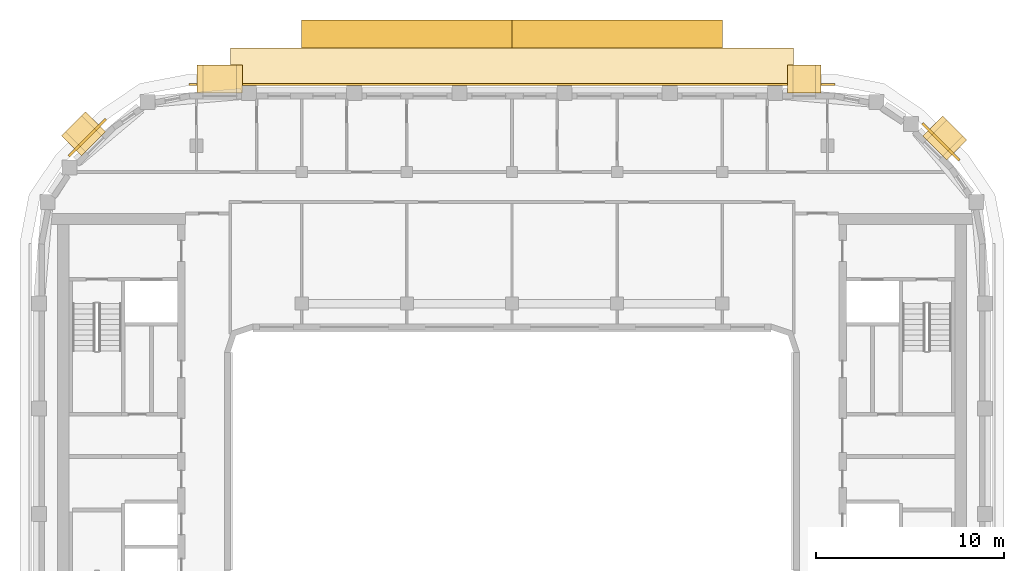
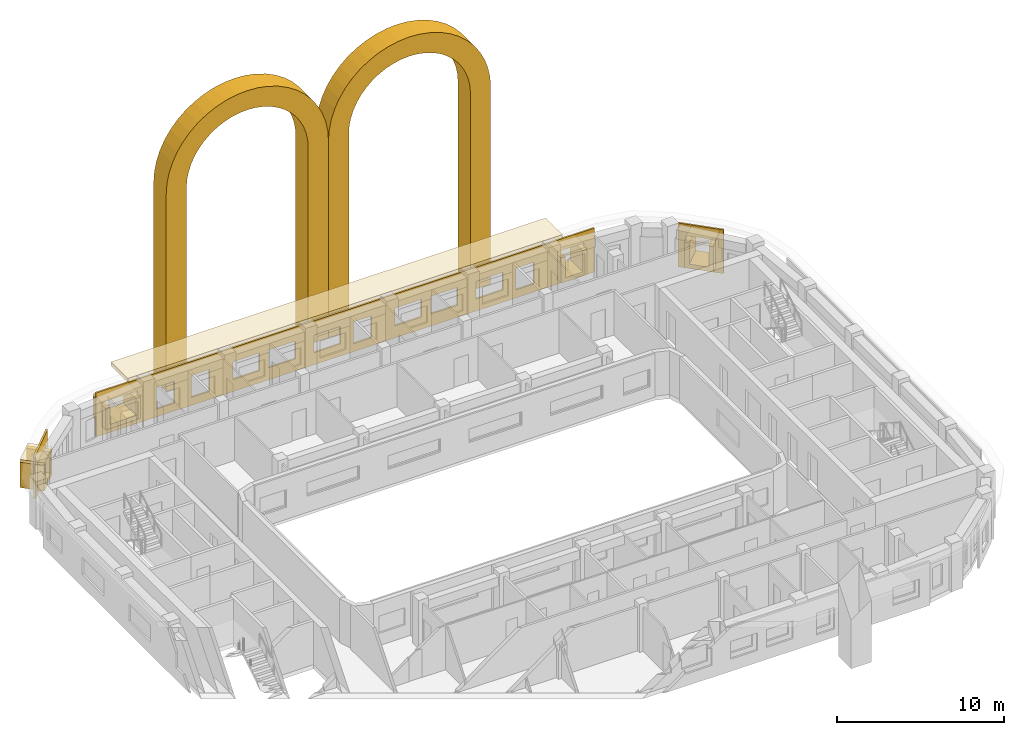
# One storey, part 18 of 18: 14 coverings.
"""IFC4 building model written with IfcOpenShell, lengths in metres."""

from ifc_helpers import new_model, si_unit, direction, frame, origin, origin_2d, place, context, subcontext, project, spatial, polyline, rectangle, outline, extrude, material, layer, layer_set, type_object, element, save


model = new_model("IFC4")

# Units and contexts
model_context = context("Model", 3, precision=1e-05, world=origin(), true_north=direction((0.0, 1.0)))
body_context = subcontext(model_context, "Body", "Model", "MODEL_VIEW")
ifc_project = project(units=[si_unit("LENGTHUNIT", "METRE"), si_unit("AREAUNIT", "SQUARE_METRE"), si_unit("VOLUMEUNIT", "CUBIC_METRE"), si_unit("PLANEANGLEUNIT", "RADIAN"), si_unit("MASSUNIT", "GRAM", prefix="KILO")], contexts=[model_context])

# Site, building, storey
site_placement = place(None, origin())
site = spatial("IfcSite", under=ifc_project, at=site_placement, CompositionType="ELEMENT")
building_placement = place(site_placement, origin())
building = spatial("IfcBuilding", under=site, at=building_placement, Name="Kiln Ring Residences", CompositionType="ELEMENT")
storey_placement = place(building_placement, frame((0.0, 0.0, 262.699951171875)))
storey = spatial("IfcBuildingStorey", under=building, at=storey_placement, Name="L68", CompositionType="ELEMENT", Elevation=262.699951171875)

# Coverings
ifc_material_1 = material(Name="Brick masonry, dark clay brick", Category="masonry")
ifc_layer_1 = layer(ifc_material_1, 1.39990234375)
ifc_layer_set_1 = layer_set([ifc_layer_1], Name="ARCH SURROUND 1500")
covering_type_1 = type_object("IfcCoveringType", Name="ARCH SURROUND 1500", PredefinedType="CLADDING", material=ifc_layer_set_1)
covering_1_placement = place(storey_placement, frame((-11.199951171875, 22.75, 0.0), z_axis=(0.0, 0.0, 1.0), x_axis=(1.0, 0.0, 0.0)))
element("IfcCovering", 1, at=covering_1_placement, inside=storey, type_object=covering_type_1, Name="ARCH SURROUND Z5 N2.1", PredefinedType="CLADDING", context=body_context, shape_type="SweptSolid", body=[
    extrude(outline(polyline([(0.0, 0.0), (0.0, 14.400146484375), (0.0478515625, 15.130859375), (0.19091796875, 15.849365234375), (0.42626953125, 16.54296875), (0.750244140625, 17.199951171875), (1.1572265625, 17.80908203125), (1.64013671875, 18.35986328125), (2.19091796875, 18.8427734375), (2.800048828125, 19.249755859375), (3.45703125, 19.57373046875), (4.150634765625, 19.809326171875), (4.869140625, 19.9521484375), (5.60009765625, 20.0), (6.330810546875, 19.9521484375), (7.04931640625, 19.809326171875), (7.742919921875, 19.57373046875), (8.39990234375, 19.249755859375), (9.009033203125, 18.8427734375), (9.559814453125, 18.35986328125), (10.042724609375, 17.80908203125), (10.44970703125, 17.199951171875), (10.773681640625, 16.54296875), (11.00927734375, 15.849365234375), (11.152099609375, 15.130859375), (11.199951171875, 14.400146484375), (11.199951171875, 0.0), (9.800048828125, 0.0), (9.800048828125, 14.400146484375), (9.76416015625, 14.9482421875), (9.656982421875, 15.487060546875), (9.480224609375, 16.00732421875), (9.2373046875, 16.5), (8.93212890625, 16.956787109375), (8.56982421875, 17.369873046875), (8.15673828125, 17.732177734375), (7.699951171875, 18.037353515625), (7.207275390625, 18.2802734375), (6.68701171875, 18.45703125), (6.148193359375, 18.564208984375), (5.60009765625, 18.60009765625), (5.0517578125, 18.564208984375), (4.512939453125, 18.45703125), (3.99267578125, 18.2802734375), (3.5, 18.037353515625), (3.043212890625, 17.732177734375), (2.630126953125, 17.369873046875), (2.267822265625, 16.956787109375), (1.962646484375, 16.5), (1.7197265625, 16.00732421875), (1.543212890625, 15.487060546875), (1.435791015625, 14.9482421875), (1.39990234375, 14.400146484375), (1.39990234375, 0.0), (0.0, 0.0)])), frame((0.0, 0.75, 0.0), z_axis=(0.0, -1.0, 0.0), x_axis=(1.0, 0.0, 0.0)), (0.0, 0.0, 1.0), 1.5),
])
covering_2_placement = place(storey_placement, frame((0.0, 22.75, 0.0), z_axis=(0.0, 0.0, 1.0), x_axis=(1.0, 0.0, 0.0)))
element("IfcCovering", 2, at=covering_2_placement, inside=storey, type_object=covering_type_1, Name="ARCH SURROUND Z5 N2.2", PredefinedType="CLADDING", context=body_context, shape_type="SweptSolid", body=[
    extrude(outline(polyline([(0.0, 0.0), (0.0, 14.400146484375), (0.0478515625, 15.130859375), (0.19091796875, 15.849365234375), (0.42626953125, 16.54296875), (0.750244140625, 17.199951171875), (1.1572265625, 17.80908203125), (1.64013671875, 18.35986328125), (2.19091796875, 18.8427734375), (2.800048828125, 19.249755859375), (3.45703125, 19.57373046875), (4.150634765625, 19.809326171875), (4.869140625, 19.9521484375), (5.60009765625, 20.0), (6.330810546875, 19.9521484375), (7.04931640625, 19.809326171875), (7.742919921875, 19.57373046875), (8.39990234375, 19.249755859375), (9.009033203125, 18.8427734375), (9.559814453125, 18.35986328125), (10.042724609375, 17.80908203125), (10.44970703125, 17.199951171875), (10.773681640625, 16.54296875), (11.00927734375, 15.849365234375), (11.152099609375, 15.130859375), (11.199951171875, 14.400146484375), (11.199951171875, 0.0), (9.800048828125, 0.0), (9.800048828125, 14.400146484375), (9.76416015625, 14.9482421875), (9.656982421875, 15.487060546875), (9.480224609375, 16.00732421875), (9.2373046875, 16.5), (8.93212890625, 16.956787109375), (8.56982421875, 17.369873046875), (8.15673828125, 17.732177734375), (7.699951171875, 18.037353515625), (7.207275390625, 18.2802734375), (6.68701171875, 18.45703125), (6.148193359375, 18.564208984375), (5.60009765625, 18.60009765625), (5.0517578125, 18.564208984375), (4.512939453125, 18.45703125), (3.99267578125, 18.2802734375), (3.5, 18.037353515625), (3.043212890625, 17.732177734375), (2.630126953125, 17.369873046875), (2.267822265625, 16.956787109375), (1.962646484375, 16.5), (1.7197265625, 16.00732421875), (1.543212890625, 15.487060546875), (1.435791015625, 14.9482421875), (1.39990234375, 14.400146484375), (1.39990234375, 0.0), (0.0, 0.0)])), frame((0.0, 0.75, 0.0), z_axis=(0.0, -1.0, 0.0), x_axis=(1.0, 0.0, 0.0)), (0.0, 0.0, 1.0), 1.5),
])
ifc_material_2 = material(Name="Brick masonry, dark clay brick", Category="masonry")
ifc_layer_2 = layer(ifc_material_2, 0.300048828125)
ifc_layer_set_2 = layer_set([ifc_layer_2], Name="FRAME CHEEKS AND SILL 1500")
covering_type_2 = type_object("IfcCoveringType", Name="FRAME CHEEKS AND SILL 1500", PredefinedType="CLADDING", material=ifc_layer_set_2)
for number, where, z_axis, x_axis, name in (
    (3, (23.6796875, 16.5810546875, 0.300048828125), (0.0, 0.0, 1.0), (-0.707106781187, 0.707106781187, 0.0), "FRAME L68"),
    (4, (16.46240234375, 20.35009765625, 0.300048828125), (0.0, 0.0, 1.0), (-1.0, 0.0, 0.0), "FRAME L68"),
):
    element("IfcCovering", number, at=place(storey_placement, frame(where, z_axis=z_axis, x_axis=x_axis)), inside=storey, type_object=covering_type_2, Name=name, PredefinedType="CLADDING", context=body_context, shape_type="SweptSolid", body=[
        extrude(outline(polyline([(0.0, 0.0), (1.7998046875, 0.0), (1.800048828125, 1.85009765625), (1.5009765625, 1.85009765625), (1.5, 0.300048828125), (0.300048828125, 0.300048828125), (0.299072265625, 1.85009765625), (0.0, 1.85009765625), (0.0, 0.0)])), frame((0.0, 0.75, 0.0), z_axis=(0.0, -1.0, 0.0), x_axis=(1.0, 0.0, 0.0)), (0.0, 0.0, 1.0), 1.5),
    ])
covering_3_placement = place(storey_placement, frame((-14.362548828125, 20.35009765625, 0.60009765625), z_axis=(0.0, 0.0, 1.0), x_axis=(-1.0, 0.0, 0.0)))
element("IfcCovering", 5, at=covering_3_placement, inside=storey, type_object=covering_type_2, Name="FRAME L68", PredefinedType="CLADDING", context=body_context, shape_type="SweptSolid", body=[
    extrude(outline(polyline([(0.0, 0.0), (2.39990234375, 0.0), (2.39990234375, 1.550048828125), (2.10107421875, 1.550048828125), (2.10009765625, 0.300048828125), (0.300048828125, 0.300048828125), (0.299072265625, 1.550048828125), (0.0, 1.550048828125), (0.0, 0.0)])), frame((0.0, 0.75, 0.0), z_axis=(0.0, -1.0, 0.0), x_axis=(1.0, 0.0, 0.0)), (0.0, 0.0, 1.0), 1.5),
])
covering_4_placement = place(storey_placement, frame((-22.180908203125, 18.079833984375, 0.300048828125), z_axis=(0.0, 0.0, 1.0), x_axis=(-0.707038962956, -0.707174592913, 0.0)))
element("IfcCovering", 6, at=covering_4_placement, inside=storey, type_object=covering_type_2, Name="FRAME L68", PredefinedType="CLADDING", context=body_context, shape_type="SweptSolid", body=[
    extrude(outline(polyline([(0.0, 0.0), (1.800048828125, 0.0), (1.800048828125, 1.85009765625), (1.5009765625, 1.85009765625), (1.5, 0.300048828125), (0.300048828125, 0.300048828125), (0.299072265625, 1.85009765625), (0.0, 1.85009765625), (0.0, 0.0)])), frame((0.0, 0.75, 0.0), z_axis=(0.0, -1.0, 0.0), x_axis=(1.0, 0.0, 0.0)), (0.0, 0.0, 1.0), 1.5),
])
ifc_material_3 = material(Name="Brick masonry, dark clay brick", Category="masonry")
ifc_layer_3 = layer(ifc_material_3, 0.199951171875)
ifc_layer_set_3 = layer_set([ifc_layer_3], Name="FRAME HEAD 1500")
covering_type_3 = type_object("IfcCoveringType", Name="FRAME HEAD 1500", PredefinedType="CLADDING", material=ifc_layer_set_3)
for number, where, z_axis, x_axis, name in (
    (7, (23.043212890625, 17.21728515625, 2.14990234375), (0.0, 0.0, 1.0), (-0.707106781187, 0.707106781187, 0.0), "FRAME HEAD L68"),
    (8, (15.5625, 20.35009765625, 2.14990234375), (0.0, 0.0, 1.0), (-1.0, 0.0, 0.0), "FRAME HEAD L68"),
):
    element("IfcCovering", number, at=place(storey_placement, frame(where, z_axis=z_axis, x_axis=x_axis)), inside=storey, type_object=covering_type_3, Name=name, PredefinedType="CLADDING", context=body_context, shape_type="SweptSolid", body=[
        extrude(rectangle(XDim=1.800048828125, YDim=1.5, at=origin_2d()), origin(), (0.0, 0.0, 1.0), 0.199951171875),
    ])
covering_5_placement = place(storey_placement, frame((-15.5625, 20.35009765625, 2.14990234375), z_axis=(0.0, 0.0, 1.0), x_axis=(-1.0, 0.0, 0.0)))
element("IfcCovering", 9, at=covering_5_placement, inside=storey, type_object=covering_type_3, Name="FRAME HEAD L68", PredefinedType="CLADDING", context=body_context, shape_type="SweptSolid", body=[
    extrude(rectangle(XDim=2.39990234375, YDim=1.5, at=origin_2d()), origin(), (0.0, 0.0, 1.0), 0.199951171875),
])
covering_6_placement = place(storey_placement, frame((-22.8173828125, 17.443359375, 2.14990234375), z_axis=(0.0, 0.0, 1.0), x_axis=(-0.707106781187, -0.707106781187, 0.0)))
element("IfcCovering", 10, at=covering_6_placement, inside=storey, type_object=covering_type_3, Name="FRAME HEAD L68", PredefinedType="CLADDING", context=body_context, shape_type="SweptSolid", body=[
    extrude(rectangle(XDim=1.800048828125, YDim=1.5, at=origin_2d()), origin(), (0.0, 0.0, 1.0), 0.199951171875),
])
ifc_material_4 = material(Name="Brick masonry, dark clay brick", Category="masonry")
ifc_layer_4 = layer(ifc_material_4, 0.1201171875)
ifc_layer_set_4 = layer_set([ifc_layer_4], Name="RAINSCREEN PANEL 120")
covering_type_4 = type_object("IfcCoveringType", Name="RAINSCREEN PANEL 120", PredefinedType="CLADDING", material=ifc_layer_set_4)
covering_7_placement = place(storey_placement, frame((23.828125, 16.022216796875, 0.0), z_axis=(0.0, 0.0, 1.0), x_axis=(-0.707063182409, 0.707150377276, 0.0)))
element("IfcCovering", 11, at=covering_7_placement, inside=storey, type_object=covering_type_4, Name="RAINSCREEN L68", PredefinedType="CLADDING", context=body_context, shape_type="SweptSolid", body=[
    extrude(outline(polyline([(0.0, 0.0), (2.800048828125, 0.0), (2.800048828125, 3.199951171875), (0.0, 3.199951171875), (0.0, 0.0)]), holes=[polyline([(0.47998046875, 2.3701171875), (0.47998046875, 0.280029296875), (2.320068359375, 0.280029296875), (2.320068359375, 2.3701171875), (0.47998046875, 2.3701171875)])]), frame((0.0, 0.06005859375, 0.0), z_axis=(0.0, -1.0, 0.0), x_axis=(1.0, 0.0, 0.0)), (0.0, 0.0, 1.0), 0.1201171875),
])
covering_8_placement = place(storey_placement, frame((17.199951171875, 20.06005859375, 0.0), z_axis=(0.0, 0.0, 1.0), x_axis=(-1.0, 0.0, 0.0)))
element("IfcCovering", 12, at=covering_8_placement, inside=storey, type_object=covering_type_4, Name="RAINSCREEN L68", PredefinedType="CLADDING", context=body_context, shape_type="SweptSolid", body=[
    extrude(outline(polyline([(0.0, 0.0), (34.39990234375, 0.0), (34.39990234375, 3.199951171875), (0.0, 3.199951171875), (0.0, 0.0)]), holes=[polyline([(0.717529296875, 0.280029296875), (2.5576171875, 0.280029296875), (2.5576171875, 2.3701171875), (0.717529296875, 2.3701171875), (0.717529296875, 0.280029296875)]), polyline([(4.179931640625, 2.170166015625), (4.179931640625, 0.580078125), (5.419921875, 0.580078125), (5.419921875, 2.170166015625), (4.179931640625, 2.170166015625)]), polyline([(15.3798828125, 2.170166015625), (15.3798828125, 0.580078125), (16.6201171875, 0.580078125), (16.6201171875, 2.170166015625), (15.3798828125, 2.170166015625)]), polyline([(6.3173828125, 0.880126953125), (8.157470703125, 0.880126953125), (8.157470703125, 2.170166015625), (6.3173828125, 2.170166015625), (6.3173828125, 0.880126953125)]), polyline([(9.4423828125, 2.170166015625), (9.4423828125, 0.880126953125), (11.282470703125, 0.880126953125), (11.282470703125, 2.170166015625), (9.4423828125, 2.170166015625)]), polyline([(11.91748046875, 2.170166015625), (11.91748046875, 0.880126953125), (13.757568359375, 0.880126953125), (13.757568359375, 2.170166015625), (11.91748046875, 2.170166015625)]), polyline([(26.580078125, 0.580078125), (27.820068359375, 0.580078125), (27.820068359375, 2.170166015625), (26.580078125, 2.170166015625), (26.580078125, 0.580078125)]), polyline([(28.97998046875, 2.170166015625), (28.97998046875, 0.580078125), (30.219970703125, 0.580078125), (30.219970703125, 2.170166015625), (28.97998046875, 2.170166015625)]), polyline([(31.54248046875, 2.3701171875), (31.54248046875, 0.580078125), (33.982421875, 0.580078125), (33.982421875, 2.3701171875), (31.54248046875, 2.3701171875)]), polyline([(17.517578125, 0.880126953125), (19.357421875, 0.880126953125), (19.357421875, 2.170166015625), (17.517578125, 2.170166015625), (17.517578125, 0.880126953125)]), polyline([(20.642578125, 2.170166015625), (20.642578125, 0.880126953125), (22.482421875, 0.880126953125), (22.482421875, 2.170166015625), (20.642578125, 2.170166015625)]), polyline([(23.117431640625, 2.170166015625), (23.117431640625, 0.880126953125), (24.95751953125, 0.880126953125), (24.95751953125, 2.170166015625), (23.117431640625, 2.170166015625)])]), frame((0.0, 0.06005859375, 0.0), z_axis=(0.0, -1.0, 0.0), x_axis=(1.0, 0.0, 0.0)), (0.0, 0.0, 1.0), 0.1201171875),
])
covering_9_placement = place(storey_placement, frame((-21.622314453125, 18.228271484375, 0.0), z_axis=(0.0, 0.0, 1.0), x_axis=(-0.707106781187, -0.707106781187, 0.0)))
element("IfcCovering", 13, at=covering_9_placement, inside=storey, type_object=covering_type_4, Name="RAINSCREEN L68", PredefinedType="CLADDING", context=body_context, shape_type="SweptSolid", body=[
    extrude(outline(polyline([(0.0, 0.0), (2.800048828125, 0.0), (2.800048828125, 3.199951171875), (0.0, 3.199951171875), (0.0, 0.0)]), holes=[polyline([(0.47998046875, 2.3701171875), (0.47998046875, 0.280029296875), (2.320068359375, 0.280029296875), (2.320068359375, 2.3701171875), (0.47998046875, 2.3701171875)])]), frame((0.0, 0.06005859375, 0.0), z_axis=(0.0, -1.0, 0.0), x_axis=(1.0, 0.0, 0.0)), (0.0, 0.0, 1.0), 0.1201171875),
])
ifc_material_5 = material(Name="Black powder-coated steel", Category="steel")
ifc_layer_5 = layer(ifc_material_5, 0.300048828125)
ifc_layer_set_5 = layer_set([ifc_layer_5], Name="SUNSHADE BAND 2000")
covering_type_5 = type_object("IfcCoveringType", Name="SUNSHADE BAND 2000", PredefinedType="CLADDING", material=ifc_layer_set_5)
covering_10_placement = place(storey_placement, frame((0.0, 0.0, 3.199951171875)))
element("IfcCovering", 14, at=covering_10_placement, inside=storey, type_object=covering_type_5, Name="SUNSHADE BAND L68", PredefinedType="CLADDING", context=body_context, shape_type="SweptSolid", body=[
    extrude(outline(polyline([(15.0, 22.0), (-15.0, 22.0), (-15.0, 20.0), (15.0, 20.0), (15.0, 22.0)])), origin(), (0.0, 0.0, 1.0), 0.300048828125),
])

save(model, "model.ifc")
